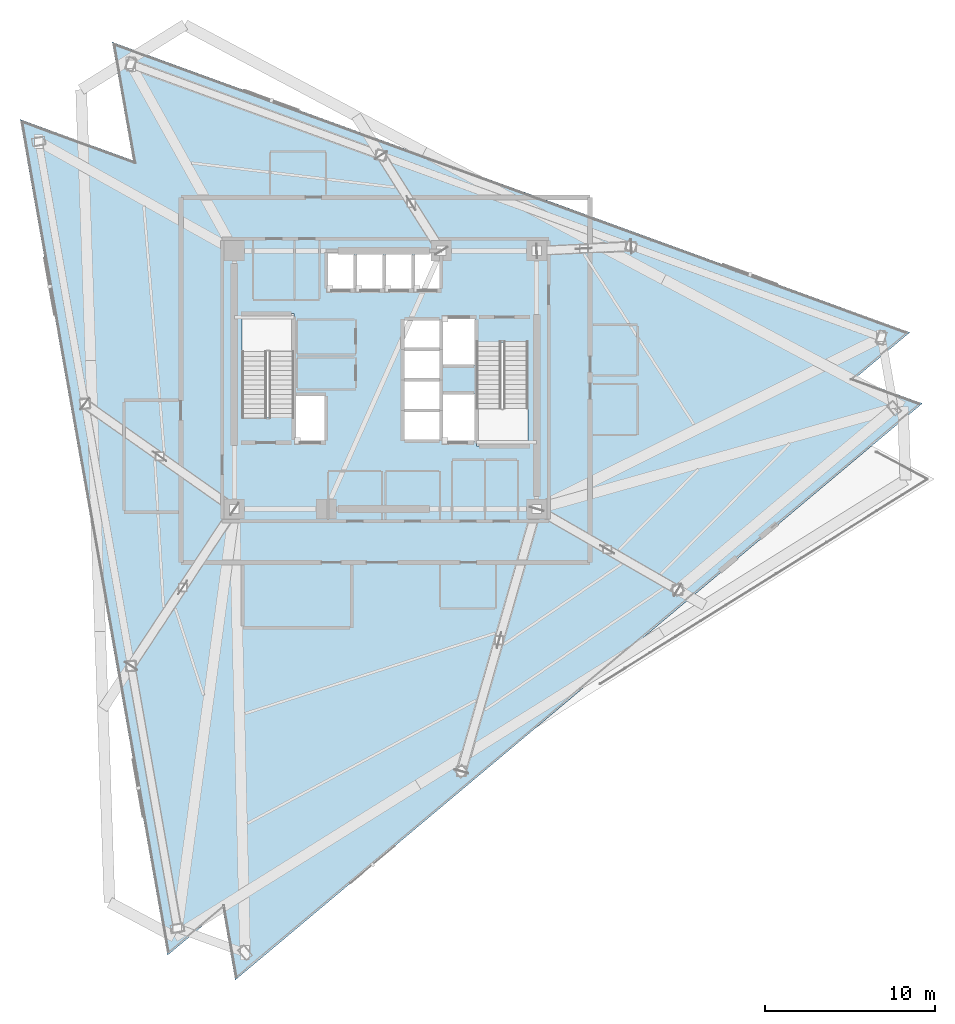
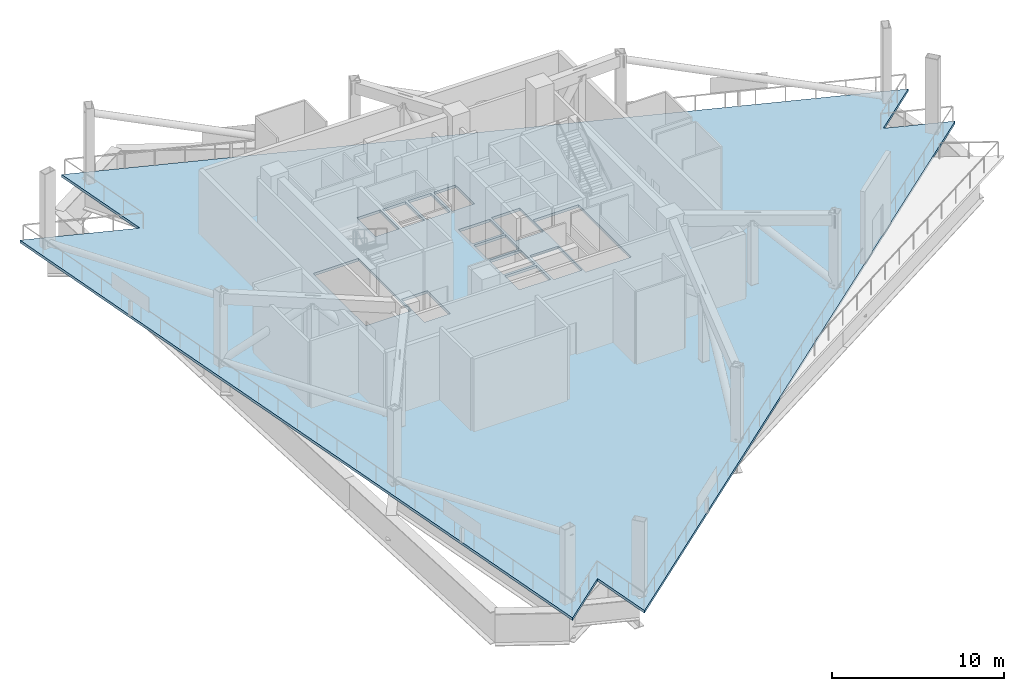
# One storey, part 4 of 15: 1 slab.
"""IFC4 building model written with IfcOpenShell, lengths in metres."""

from ifc_helpers import new_model, si_unit, direction, frame, origin, place, context, subcontext, project, spatial, polyline, outline, extrude, material, layer, layer_set, type_object, element, save


model = new_model("IFC4")

# Units and contexts
model_context = context("Model", 3, precision=1e-05, world=origin(), true_north=direction((0.0, 1.0)))
body_context = subcontext(model_context, "Body", "Model", "MODEL_VIEW")
ifc_project = project(units=[si_unit("LENGTHUNIT", "METRE"), si_unit("AREAUNIT", "SQUARE_METRE"), si_unit("VOLUMEUNIT", "CUBIC_METRE"), si_unit("PLANEANGLEUNIT", "RADIAN"), si_unit("MASSUNIT", "GRAM", prefix="KILO")], contexts=[model_context])

# Site, building, storey
site_placement = place(None, origin())
site = spatial("IfcSite", under=ifc_project, at=site_placement, CompositionType="ELEMENT")
building_placement = place(site_placement, origin())
building = spatial("IfcBuilding", under=site, at=building_placement, Name="Tharavind Bronze Gate", CompositionType="ELEMENT")
storey_placement = place(building_placement, frame((0.0, 0.0, 165.14990234375)))
storey = spatial("IfcBuildingStorey", under=building, at=storey_placement, Name="L42", CompositionType="ELEMENT", Elevation=165.14990234375)

# Slab
ifc_material = material(Name="Concrete C40/50", Category="concrete")
ifc_layer = layer(ifc_material, 0.18994140625)
ifc_layer_set = layer_set([ifc_layer], Name="Concrete C40/50")
slab_type = type_object("IfcSlabType", Name="STRUCTURAL FLOOR SLAB 190", PredefinedType="FLOOR", material=ifc_layer_set)
slab_placement = place(storey_placement, frame((0.0, 0.0, -0.18994140625)))
element("IfcSlab", 1, at=slab_placement, inside=storey, type_object=slab_type, Name="L42 main structural floor slab", PredefinedType="FLOOR", context=body_context, shape_type="SweptSolid", body=[
    extrude(outline(polyline([(-16.101806640625, 19.896484375), (-14.872314453125, 12.924072265625), (-21.525390625, 15.345458984375), (-12.84521484375, -33.881591796875), (-9.591064453125, -31.151123046875), (-8.853515625, -35.334716796875), (31.60791015625, -1.38330078125), (27.6162109375, 0.069580078125), (30.870361328125, 2.800048828125), (-16.101806640625, 19.896484375)]), holes=[polyline([(-5.39990234375, -2.215087890625), (-5.39990234375, 3.89990234375), (-8.449951171875, 3.89990234375), (-8.449951171875, -2.215087890625), (-5.39990234375, -2.215087890625)]), polyline([(5.35009765625, 2.215087890625), (5.35009765625, -3.89990234375), (8.39990234375, -3.89990234375), (8.39990234375, 2.215087890625), (5.35009765625, 2.215087890625)]), polyline([(-3.419921875, 5.330078125), (-1.867431640625, 5.330078125), (-1.867431640625, 7.52001953125), (-3.419921875, 7.52001953125), (-3.419921875, 5.330078125)]), polyline([(-1.70751953125, 5.330078125), (-0.155029296875, 5.330078125), (-0.155029296875, 7.52001953125), (-1.70751953125, 7.52001953125), (-1.70751953125, 5.330078125)]), polyline([(0.0048828125, 5.330078125), (1.5576171875, 5.330078125), (1.5576171875, 7.52001953125), (0.0048828125, 7.52001953125), (0.0048828125, 5.330078125)]), polyline([(1.717529296875, 5.330078125), (3.199951171875, 5.330078125), (3.199951171875, 7.52001953125), (1.717529296875, 7.52001953125), (1.717529296875, 5.330078125)]), polyline([(1.080078125, -3.52001953125), (3.199951171875, -3.52001953125), (3.199951171875, -1.8798828125), (1.080078125, -1.8798828125), (1.080078125, -3.52001953125)]), polyline([(1.080078125, -1.719970703125), (3.199951171875, -1.719970703125), (3.199951171875, -0.080078125), (1.080078125, -0.080078125), (1.080078125, -1.719970703125)]), polyline([(1.080078125, 0.080078125), (3.199951171875, 0.080078125), (3.199951171875, 1.719970703125), (1.080078125, 1.719970703125), (1.080078125, 0.080078125)]), polyline([(1.080078125, 1.8798828125), (3.199951171875, 1.8798828125), (3.199951171875, 3.52001953125), (1.080078125, 3.52001953125), (1.080078125, 1.8798828125)]), polyline([(-5.320068359375, -3.6201171875), (-3.580078125, -3.6201171875), (-3.580078125, -0.929931640625), (-5.320068359375, -0.929931640625), (-5.320068359375, -3.6201171875)]), polyline([(3.360107421875, 0.8798828125), (5.27001953125, 0.8798828125), (5.27001953125, 3.6201171875), (3.360107421875, 3.6201171875), (3.360107421875, 0.8798828125)]), polyline([(3.360107421875, -3.6201171875), (5.27001953125, -3.6201171875), (5.27001953125, -0.830078125), (3.360107421875, -0.830078125), (3.360107421875, -3.6201171875)])]), origin(), (0.0, 0.0, 1.0), 0.18994140625),
])

save(model, "model.ifc")
